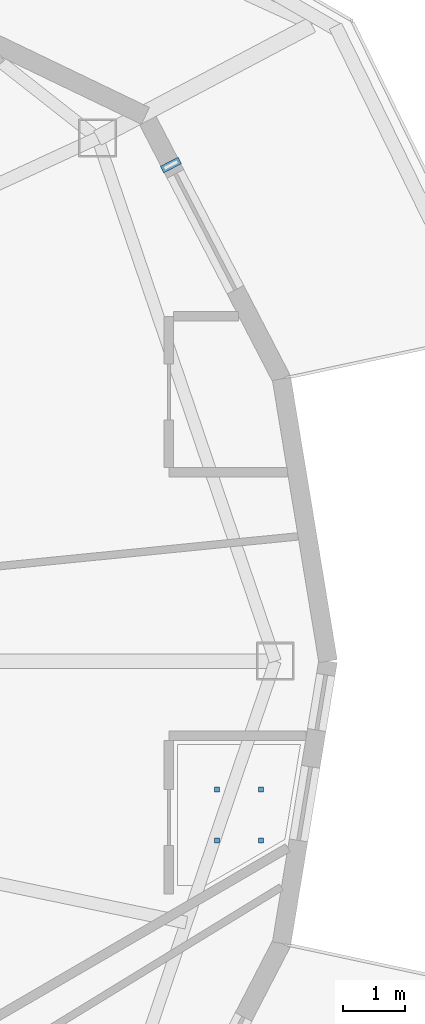
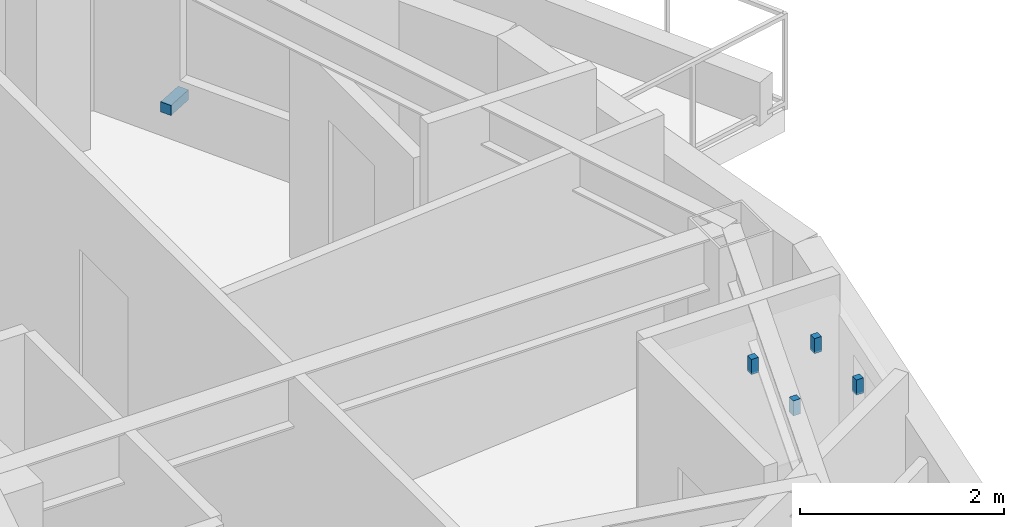
# One storey, part 12 of 16: 5 discrete accessories.
"""IFC4 building model written with IfcOpenShell, lengths in metres."""

import ifcopenshell
import ifcopenshell.guid

model = None  # the IFC model being written
_history = None  # IfcOwnerHistory: only IFC2X3 demands one
_inside = {}  # id of a spatial element -> (the spatial element, [elements in it])
_under = {}  # id of a project, library or spatial element -> (it, [spatial elements below it])
_declared = {}  # id of a project -> (the project, [libraries it declares])
_typed = {}  # id of a type object -> (the type object, [elements of that type])
_made_of = {}  # id of a material, layer set ... -> (it, [elements and type objects made of it])


def new_model(schema):
    """Start an empty IFC model of exactly this schema.

    Asked for "IFC4X3", IfcOpenShell would pick the latest addendum, in which some entities
    have other attributes; the version numbers below select the first issue.
    IFC2X3 requires an IfcOwnerHistory on every rooted entity: one is made here for all.
    """
    global model, _history
    if schema == "IFC4X3":
        model = ifcopenshell.file(schema_version=(4, 3, 0, 0))
    else:
        model = ifcopenshell.file(schema=schema)
    _inside.clear()
    _under.clear()
    _declared.clear()
    _typed.clear()
    _made_of.clear()
    _history = None
    if model.schema == "IFC2X3":
        org = make("IfcOrganization", Name="unknown")
        user = make(
            "IfcPersonAndOrganization",
            ThePerson=make("IfcPerson", FamilyName="unknown"),
            TheOrganization=org,
        )
        app = make(
            "IfcApplication",
            ApplicationDeveloper=org,
            Version="unknown",
            ApplicationFullName="unknown",
            ApplicationIdentifier="unknown",
        )
        _history = make(
            "IfcOwnerHistory",
            OwningUser=user,
            OwningApplication=app,
            ChangeAction="ADDED",
            CreationDate=0,
        )
    return model


def make(cls, **values):
    """One entity of the class cls with the attributes given. An attribute that is None is left unset."""
    return model.create_entity(
        cls, **{name: value for name, value in values.items() if value is not None}
    )


def rooted(cls, **values):
    """An entity with a GlobalId (a new one), such as an element, a storey or a relation."""
    return make(cls, GlobalId=ifcopenshell.guid.new(), OwnerHistory=_history, **values)


def si_unit(unit_type, name, prefix=None):
    """IfcSIUnit, for example si_unit("LENGTHUNIT", "METRE", prefix="MILLI")."""
    return make("IfcSIUnit", UnitType=unit_type, Prefix=prefix, Name=name)


def assignment(units):
    """IfcUnitAssignment: the units of a project."""
    return None if units is None else make("IfcUnitAssignment", Units=units)


def point(xyz):
    """IfcCartesianPoint."""
    return None if xyz is None else make("IfcCartesianPoint", Coordinates=xyz)


def direction(xyz):
    """IfcDirection."""
    return None if xyz is None else make("IfcDirection", DirectionRatios=xyz)


def frame(location, z_axis=None, x_axis=None):
    """IfcAxis2Placement3D, a coordinate frame: its origin and axes. An axis left out is left unset."""
    return make(
        "IfcAxis2Placement3D",
        Location=point(location),
        Axis=direction(z_axis),
        RefDirection=direction(x_axis),
    )


def frame_2d(location, x_axis=None):
    """IfcAxis2Placement2D, a coordinate frame in the plane: its origin and x axis."""
    return make(
        "IfcAxis2Placement2D", Location=point(location), RefDirection=direction(x_axis)
    )


def origin():
    """The frame at (0, 0, 0) with its axes left unset."""
    return frame((0.0, 0.0, 0.0))


def origin_2d():
    """The frame at (0, 0) in the plane with its x axis left unset."""
    return frame_2d((0.0, 0.0))


def place(relative_to, where):
    """IfcLocalPlacement: puts the frame where relative to a parent placement (None: the world)."""
    return make(
        "IfcLocalPlacement", PlacementRelTo=relative_to, RelativePlacement=where
    )


def context(
    kind, dimensions, precision=None, world=None, true_north=None, identifier=None
):
    """IfcGeometricRepresentationContext, for example the 3D "Model" context."""
    return make(
        "IfcGeometricRepresentationContext",
        ContextIdentifier=identifier,
        ContextType=kind,
        CoordinateSpaceDimension=dimensions,
        Precision=precision,
        WorldCoordinateSystem=world,
        TrueNorth=true_north,
    )


def subcontext(parent, identifier, kind, view, scale=None):
    """IfcGeometricRepresentationSubContext, for example "Body" below "Model"."""
    return make(
        "IfcGeometricRepresentationSubContext",
        ContextIdentifier=identifier,
        ContextType=kind,
        ParentContext=parent,
        TargetScale=scale,
        TargetView=view,
    )


def project(units=None, contexts=None):
    """IfcProject with its units and contexts."""
    return rooted(
        "IfcProject",
        Name="project",
        RepresentationContexts=contexts,
        UnitsInContext=assignment(units),
    )


def spatial(cls, under=None, at=None, **own):
    """A site, building, storey or space (cls), placed at a placement, below another one or the project."""
    s = rooted(cls, ObjectPlacement=at, **own)
    if under is not None:
        _under.setdefault(under.id(), (under, []))[1].append(s)
    return s


def profile(cls, at=None, kind="AREA", **sizes):
    """A parametric profile (cls). Its sizes go by their IFC names, for example OverallWidth=200.0."""
    return make(cls, ProfileType=kind, Position=at, **sizes)


def rectangle(**sizes):
    """IfcRectangleProfileDef."""
    return profile("IfcRectangleProfileDef", **sizes)


def extrude(swept, where, along, depth):
    """IfcExtrudedAreaSolid: the profile swept, set in the frame where, extruded along a direction by depth."""
    return make(
        "IfcExtrudedAreaSolid",
        SweptArea=swept,
        Position=where,
        ExtrudedDirection=direction(along),
        Depth=depth,
    )


def shape(context_of_items, identifier, shape_type, items):
    """IfcShapeRepresentation: the items that make up one representation, for example the "Body"."""
    return make(
        "IfcShapeRepresentation",
        ContextOfItems=context_of_items,
        RepresentationIdentifier=identifier,
        RepresentationType=shape_type,
        Items=items,
    )


def material(Name=None, Category=None):
    """IfcMaterial."""
    return make("IfcMaterial", Name=Name, Category=Category)


def made_of(thing, what):
    """Note that an element or type object is made of a material, layer set ...; save() writes the relation."""
    if what is not None:
        _made_of.setdefault(what.id(), (what, []))[1].append(thing)
    return thing


def type_object(cls, material=None, **own):
    """A type object (cls), such as IfcWallType, which elements share."""
    return made_of(rooted(cls, **own), material)


def element(
    cls,
    number,
    at=None,
    inside=None,
    cuts=None,
    type_object=None,
    material=None,
    context=None,
    identifier="Body",
    shape_type=None,
    held_by="IfcProductDefinitionShape",
    body=None,
    shapes=None,
    **own,
):
    """One element of the class cls, such as IfcWall. Its Tag is "e" and its number.

    at: its placement. inside: the storey or other place that contains it. cuts: it is an
    opening in that element (IfcRelVoidsElement). A single representation is given by context,
    identifier, shape_type and body (its items); several are given by shapes. held_by: the class
    of the entity that holds the representations. save() writes the other relations.
    """
    e = rooted(cls, Tag="e%d" % number, ObjectPlacement=at, **own)
    if body is not None:
        shapes = [shape(context, identifier, shape_type, body)]
    if shapes is not None:
        e.Representation = make(held_by, Representations=shapes)
    if inside is not None:
        _inside.setdefault(inside.id(), (inside, []))[1].append(e)
    if cuts is not None:
        rooted(
            "IfcRelVoidsElement", RelatingBuildingElement=cuts, RelatedOpeningElement=e
        )
    if type_object is not None:
        _typed.setdefault(type_object.id(), (type_object, []))[1].append(e)
    return made_of(e, material)


def aggregate(whole, parts):
    """IfcRelAggregates: a whole, such as a stair, and the parts it consists of."""
    return rooted("IfcRelAggregates", RelatingObject=whole, RelatedObjects=parts)


def save(model, path):
    """Write the relations noted so far, then the file.

    IfcRelAggregates (storeys below a building ...), IfcRelContainedInSpatialStructure (elements
    in a storey), IfcRelDefinesByType, IfcRelAssociatesMaterial and IfcRelDeclares: one each for
    every whole, place, type object, material and project.
    """
    for whole, parts in _under.values():
        aggregate(whole, parts)
    for where, things in _inside.values():
        rooted(
            "IfcRelContainedInSpatialStructure",
            RelatedElements=things,
            RelatingStructure=where,
        )
    for kind, things in _typed.values():
        rooted("IfcRelDefinesByType", RelatedObjects=things, RelatingType=kind)
    for what, things in _made_of.values():
        rooted("IfcRelAssociatesMaterial", RelatedObjects=things, RelatingMaterial=what)
    for by, libraries in _declared.values():
        rooted("IfcRelDeclares", RelatingContext=by, RelatedDefinitions=libraries)
    model.write(path)


model = new_model("IFC4")

# Units and contexts
model_context = context("Model", 3, precision=1e-05, world=origin(), true_north=direction((0.0, 1.0)))
body_context = subcontext(model_context, "Body", "Model", "MODEL_VIEW")
ifc_project = project(units=[si_unit("LENGTHUNIT", "METRE"), si_unit("AREAUNIT", "SQUARE_METRE"), si_unit("VOLUMEUNIT", "CUBIC_METRE"), si_unit("PLANEANGLEUNIT", "RADIAN"), si_unit("MASSUNIT", "GRAM", prefix="KILO")], contexts=[model_context])

# Site, building, storey
site_placement = place(None, origin())
site = spatial("IfcSite", under=ifc_project, at=site_placement, CompositionType="ELEMENT")
building_placement = place(site_placement, origin())
building = spatial("IfcBuilding", under=site, at=building_placement, Name="Kolvaren Gate Tower and Convention Centre", CompositionType="ELEMENT")
storey_placement = place(building_placement, frame((0.0, 0.0, 149.5)))
storey = spatial("IfcBuildingStorey", under=building, at=storey_placement, Name="L38", CompositionType="ELEMENT", Elevation=149.5)

# Discrete accessories
ifc_material_1 = material(Name="Anodized Architectural Aluminium Alloy 6063-T6", Category="aluminium")
discrete_accessory_type_1 = type_object("IfcDiscreteAccessoryType", Name="ARCH-ACC-BRACKET-120", PredefinedType="BRACKET", material=ifc_material_1)
discrete_accessory_placement = place(storey_placement, frame((49.53271484375, 34.984619140625, 0.2900390625), z_axis=(0.0, 0.0, 1.0), x_axis=(0.459798409467, -0.888023323259, 0.0)))
element("IfcDiscreteAccessory", 1, at=discrete_accessory_placement, inside=storey, type_object=discrete_accessory_type_1, Name="Ceramic Fin Wall Anchor Bracket FBK-L38-01", PredefinedType="BRACKET", context=body_context, shape_type="SweptSolid", body=[
    extrude(rectangle(XDim=0.1201171875, YDim=0.320068359375, at=origin_2d()), origin(), (0.0, 0.0, 1.0), 0.1201171875),
])
ifc_material_2 = material(Name="Brushed Stainless Steel Grade 316L", Category="steel")
discrete_accessory_type_2 = type_object("IfcDiscreteAccessoryType", Name="ARCH-ACC-HANGER-80", PredefinedType="BRACKET", material=ifc_material_2)
for number, where, z_axis, x_axis, name in (
    (2, (50.27294921875, 24.115966796875, 2.9501953125), (0.0, 0.0, 1.0), (1.0, 0.0, 0.0), "En-suite Bathroom (HTL-L38-05) Ceiling Suspension Hanger Clip 1"),
    (3, (50.986083984375, 24.115966796875, 2.9501953125), (0.0, 0.0, 1.0), (1.0, 0.0, 0.0), "En-suite Bathroom (HTL-L38-05) Ceiling Suspension Hanger Clip 2"),
    (4, (50.27294921875, 24.93408203125, 2.9501953125), (0.0, 0.0, 1.0), (1.0, 0.0, 0.0), "En-suite Bathroom (HTL-L38-05) Ceiling Suspension Hanger Clip 3"),
    (5, (50.986083984375, 24.93408203125, 2.9501953125), (0.0, 0.0, 1.0), (1.0, 0.0, 0.0), "En-suite Bathroom (HTL-L38-05) Ceiling Suspension Hanger Clip 4"),
):
    element("IfcDiscreteAccessory", number, at=place(storey_placement, frame(where, z_axis=z_axis, x_axis=x_axis)), inside=storey, type_object=discrete_accessory_type_2, Name=name, PredefinedType="BRACKET", context=body_context, shape_type="SweptSolid", body=[
        extrude(rectangle(XDim=0.080078125, YDim=0.080078125, at=origin_2d()), origin(), (0.0, 0.0, 1.0), 0.179931640625),
    ])

save(model, "model.ifc")
